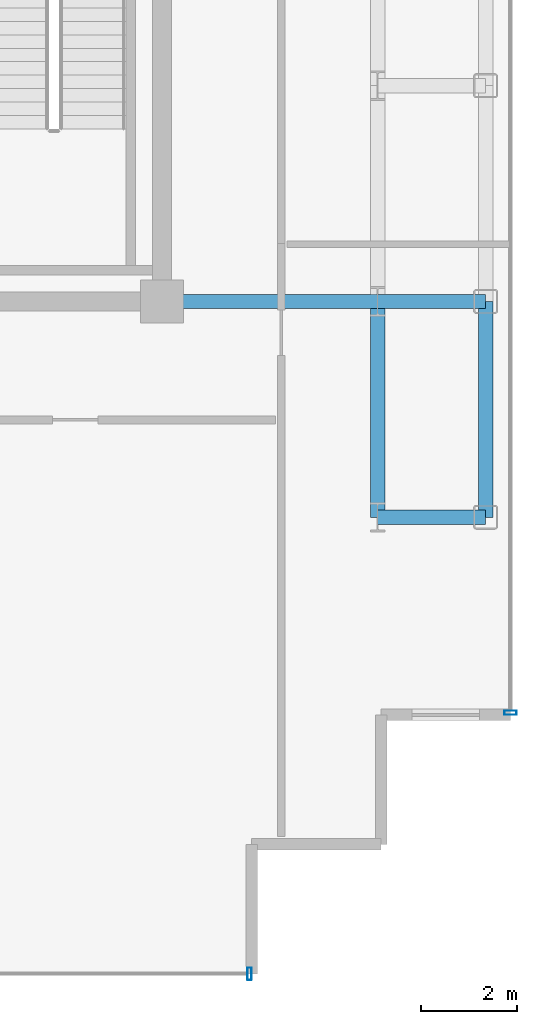
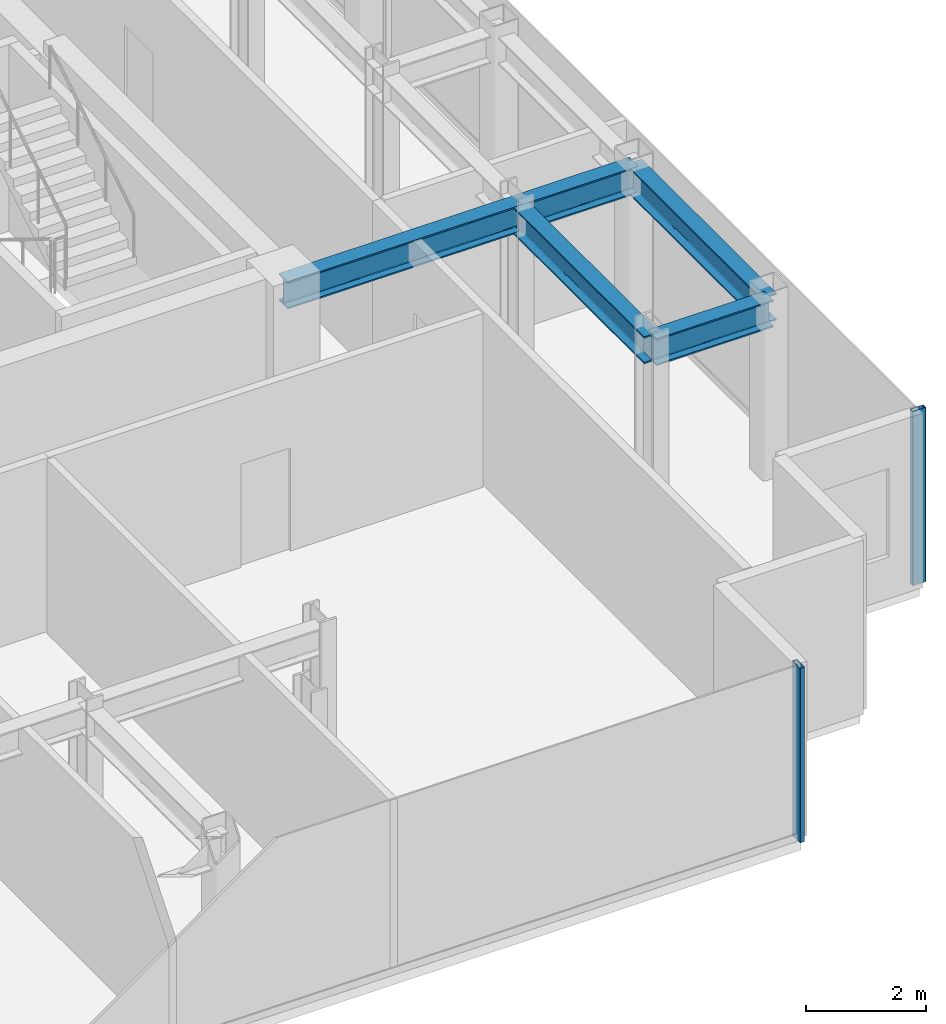
# One storey, part 6 of 18: 5 beams, 2 members, 2 elements without a shape of their own.
"""IFC4 building model written with IfcOpenShell, lengths in metres."""

from ifc_helpers import new_model, si_unit, direction, frame, origin, origin_2d, place, context, subcontext, project, spatial, hollow_rectangle, i_section, extrude, source, transform, mapped, material, layer, layer_set, material_profile, profile_set, type_object, element, aggregate, save


model = new_model("IFC4")

# Units and contexts
model_context = context("Model", 3, precision=1e-05, world=origin(), true_north=direction((0.0, 1.0)))
body_context = subcontext(model_context, "Body", "Model", "MODEL_VIEW")
ifc_project = project(units=[si_unit("LENGTHUNIT", "METRE"), si_unit("AREAUNIT", "SQUARE_METRE"), si_unit("VOLUMEUNIT", "CUBIC_METRE"), si_unit("PLANEANGLEUNIT", "RADIAN"), si_unit("MASSUNIT", "GRAM", prefix="KILO")], contexts=[model_context])

# Site, building, storey
site_placement = place(None, origin())
site = spatial("IfcSite", under=ifc_project, at=site_placement, CompositionType="ELEMENT")
building_placement = place(site_placement, origin())
building = spatial("IfcBuilding", under=site, at=building_placement, Name="Nefas-Gora Pilgrimage Tower", CompositionType="ELEMENT")
storey_placement = place(building_placement, frame((0.0, 0.0, 326.199951171875)))
storey = spatial("IfcBuildingStorey", under=building, at=storey_placement, Name="L82", CompositionType="ELEMENT", Elevation=326.199951171875)

# Beams
ifc_material_1 = material(Name="Steel S355", Category="steel")
ifc_material_profile_1 = material_profile(ifc_material_1, i_section(OverallWidth=0.300048828125, OverallDepth=0.550048828125, WebThickness=0.014892578125, FlangeThickness=0.029052734375, FilletRadius=0.027099609375, at=origin_2d()), Name="HEB 550")
ifc_profile_set_1 = profile_set([ifc_material_profile_1], Name="Steel S355")
beam_type_1 = type_object("IfcBeamType", Name="BM-SPN-HEB400", PredefinedType="SPANDREL", material=ifc_profile_set_1)
shared_shape_1 = source(origin(), body_context, "Body", "SweptSolid", [
    extrude(i_section(OverallWidth=0.300048828125, OverallDepth=0.550048828125, WebThickness=0.014892578125, FlangeThickness=0.029052734375, FilletRadius=0.027099609375, at=origin_2d()), origin(), (0.0, 0.0, 1.0), 4.5),
])
beam_placement = place(storey_placement, frame((18.0, -13.5, 3.275146484375), z_axis=(0.0, 1.0, 0.0), x_axis=(-1.0, 0.0, 0.0)))
element("IfcBeam", 1, at=beam_placement, inside=storey, type_object=beam_type_1, Name="L82 SP-04 beam", PredefinedType="SPANDREL", context=body_context, shape_type="MappedRepresentation", body=[
    mapped(shared_shape_1, transform((0.0, 0.0, 0.0), x_axis=(1.0, 0.0, 0.0), y_axis=(0.0, 1.0, 0.0), z_axis=(0.0, 0.0, 1.0), scale=1.0)),
])
ifc_material_profile_2 = material_profile(ifc_material_1, i_section(OverallWidth=0.300048828125, OverallDepth=0.550048828125, WebThickness=0.014892578125, FlangeThickness=0.029052734375, FilletRadius=0.027099609375, at=origin_2d()), Name="HEB 550")
ifc_profile_set_2 = profile_set([ifc_material_profile_2], Name="Steel S355")
beam_type_2 = type_object("IfcBeamType", Name="BM-GIR-HEB550", PredefinedType="BEAM", material=ifc_profile_set_2)
shared_shape_2 = source(origin(), body_context, "Body", "SweptSolid", [
    extrude(i_section(OverallWidth=0.300048828125, OverallDepth=0.550048828125, WebThickness=0.014892578125, FlangeThickness=0.029052734375, FilletRadius=0.027099609375, at=origin_2d()), origin(), (0.0, 0.0, 1.0), 4.5),
])
for number, where, z_axis, x_axis, name in (
    (2, (11.25, -9.0, 3.275146484375), (1.0, 0.0, 0.0), (0.0, 1.0, 0.0), "L82 G-05 beam"),
    (3, (15.75, -13.5, 3.275146484375), (0.0, 1.0, 0.0), (-1.0, 0.0, 0.0), "L82 G-05 beam"),
):
    element("IfcBeam", number, at=place(storey_placement, frame(where, z_axis=z_axis, x_axis=x_axis)), inside=storey, type_object=beam_type_2, Name=name, PredefinedType="BEAM", context=body_context, shape_type="MappedRepresentation", body=[
        mapped(shared_shape_2, transform((0.0, 0.0, 0.0), x_axis=(1.0, 0.0, 0.0), y_axis=(0.0, 1.0, 0.0), z_axis=(0.0, 0.0, 1.0), scale=1.0)),
    ])
shared_shape_3 = source(origin(), body_context, "Body", "SweptSolid", [
    extrude(i_section(OverallWidth=0.300048828125, OverallDepth=0.550048828125, WebThickness=0.014892578125, FlangeThickness=0.029052734375, FilletRadius=0.027099609375, at=origin_2d()), origin(), (0.0, 0.0, 1.0), 2.25),
])
for number, where, z_axis, x_axis, name in (
    (4, (15.75, -13.5, 3.275146484375), (1.0, 0.0, 0.0), (0.0, 1.0, 0.0), "L82 G-05 beam"),
    (5, (15.75, -9.0, 3.275146484375), (1.0, 0.0, 0.0), (0.0, 1.0, 0.0), "L82 G-05 beam"),
):
    element("IfcBeam", number, at=place(storey_placement, frame(where, z_axis=z_axis, x_axis=x_axis)), inside=storey, type_object=beam_type_2, Name=name, PredefinedType="BEAM", context=body_context, shape_type="MappedRepresentation", body=[
        mapped(shared_shape_3, transform((0.0, 0.0, 0.0), x_axis=(1.0, 0.0, 0.0), y_axis=(0.0, 1.0, 0.0), z_axis=(0.0, 0.0, 1.0), scale=1.0)),
    ])

# Curtain wall, member
ifc_material_2 = material(Name="Dark ceramic-fritted solar-control aluminium-glass curtain wall", Category="aluminium")
ifc_layer = layer(ifc_material_2, 0.219970703125)
ifc_layer_set = layer_set([ifc_layer], Name="Dark ceramic-fritted solar-control aluminium-glass curtain wall")
curtain_wall_type = type_object("IfcCurtainWallType", Name="CW-SYS-4", PredefinedType="NOTDEFINED", material=ifc_layer_set)
curtain_wall_1_placement = place(storey_placement, origin())
curtain_wall_1 = element("IfcCurtainWall", 6, at=curtain_wall_1_placement, inside=storey, type_object=curtain_wall_type, Name="L82 Unitised Curtain Wall CW4", PredefinedType="NOTDEFINED")
ifc_material_3 = material(Name="Anodised architectural aluminium", Category="aluminium")
ifc_material_profile_3 = material_profile(ifc_material_3, hollow_rectangle(XDim=0.090087890625, YDim=0.260009765625, WallThickness=0.006103515625, InnerFilletRadius=0.006103515625, OuterFilletRadius=0.011962890625, at=origin_2d()), Name="ALU MULLION 90x260")
ifc_profile_set_3 = profile_set([ifc_material_profile_3], Name="Anodised architectural aluminium")
member_type = type_object("IfcMemberType", Name="CWM-MUL-4", PredefinedType="MULLION", material=ifc_profile_set_3)
shared_shape_4 = source(origin(), body_context, "Body", "SweptSolid", [
    extrude(hollow_rectangle(XDim=0.090087890625, YDim=0.260009765625, WallThickness=0.006103515625, InnerFilletRadius=0.006103515625, OuterFilletRadius=0.011962890625, at=origin_2d()), origin(), (0.0, 0.0, 1.0), 3.550048828125),
])
member_1_placement = place(storey_placement, frame((18.52001953125, -17.574951171875, 0.0), z_axis=(0.0, 0.0, 1.0), x_axis=(0.0, 1.0, 0.0)))
member_1 = element("IfcMember", 7, at=member_1_placement, type_object=member_type, Name="CW4 Mullion 1", PredefinedType="MULLION", context=body_context, shape_type="MappedRepresentation", body=[
    mapped(shared_shape_4, transform((0.0, 0.0, 0.0), x_axis=(1.0, 0.0, 0.0), y_axis=(0.0, 1.0, 0.0), z_axis=(0.0, 0.0, 1.0), scale=1.0)),
])
aggregate(curtain_wall_1, [member_1])

curtain_wall_2_placement = place(storey_placement, origin())
curtain_wall_2 = element("IfcCurtainWall", 8, at=curtain_wall_2_placement, inside=storey, type_object=curtain_wall_type, Name="L82 Unitised Curtain Wall CW4", PredefinedType="NOTDEFINED")
member_2_placement = place(storey_placement, frame((13.074951171875, -23.02001953125, 0.0), z_axis=(0.0, 0.0, 1.0), x_axis=(1.0, 0.0, 0.0)))
member_2 = element("IfcMember", 9, at=member_2_placement, type_object=member_type, Name="CW4 Mullion 2", PredefinedType="MULLION", context=body_context, shape_type="MappedRepresentation", body=[
    mapped(shared_shape_4, transform((0.0, 0.0, 0.0), x_axis=(1.0, 0.0, 0.0), y_axis=(0.0, 1.0, 0.0), z_axis=(0.0, 0.0, 1.0), scale=1.0)),
])
aggregate(curtain_wall_2, [member_2])

save(model, "model.ifc")
